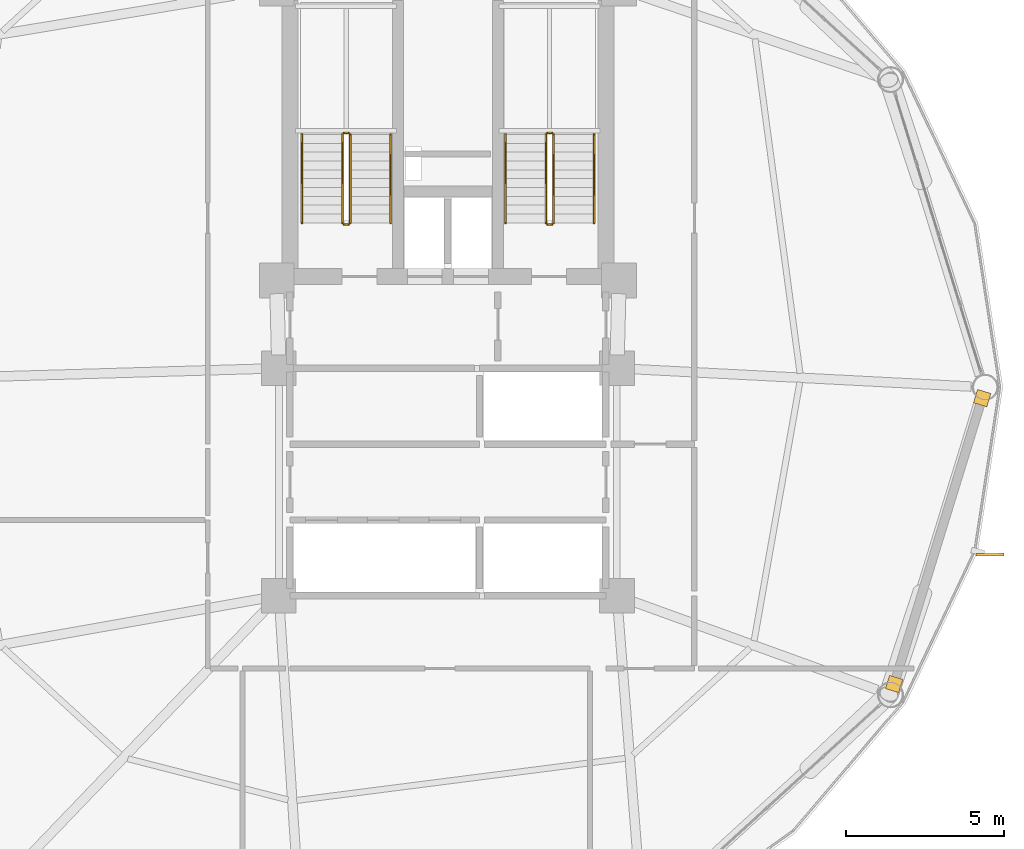
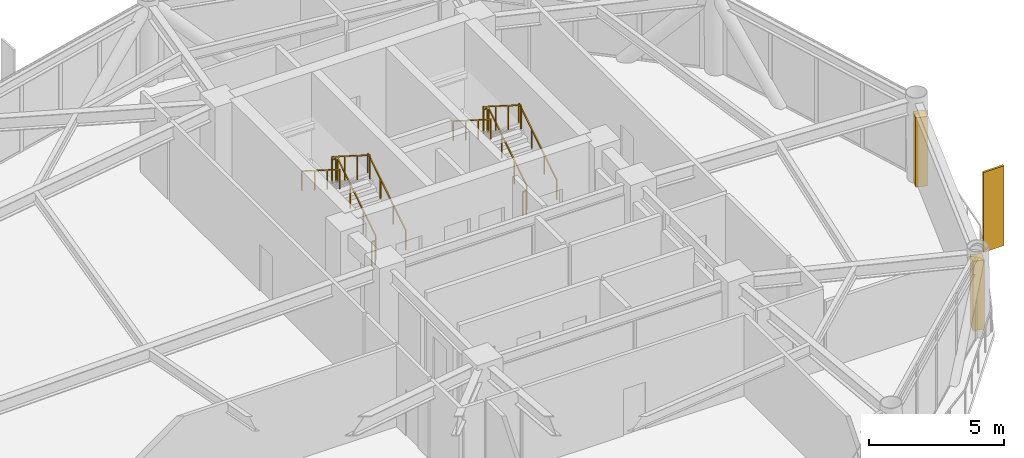
# One storey, part 22 of 23: 12 railings, 2 coverings, 1 shading device.
"""IFC4 building model written with IfcOpenShell, lengths in metres."""

from ifc_helpers import new_model, si_unit, direction, frame, origin, origin_2d, place, context, subcontext, project, spatial, rectangle, extrude, source, transform, mapped, material, layer, layer_set, type_object, type_shapes, element, save


model = new_model("IFC4")

# Units and contexts
model_context = context("Model", 3, precision=1e-05, world=origin(), true_north=direction((0.0, 1.0)))
body_context = subcontext(model_context, "Body", "Model", "MODEL_VIEW")
ifc_project = project(units=[si_unit("LENGTHUNIT", "METRE"), si_unit("AREAUNIT", "SQUARE_METRE"), si_unit("VOLUMEUNIT", "CUBIC_METRE"), si_unit("PLANEANGLEUNIT", "RADIAN"), si_unit("MASSUNIT", "GRAM", prefix="KILO")], contexts=[model_context])

# Site, building, storey
site_placement = place(None, origin())
site = spatial("IfcSite", under=ifc_project, at=site_placement, CompositionType="ELEMENT")
building_placement = place(site_placement, origin())
building = spatial("IfcBuilding", under=site, at=building_placement, Name="Varnakorn Sky Granary", CompositionType="ELEMENT")
storey_placement = place(building_placement, frame((0.0, 0.0, 107.10009765625)))
storey = spatial("IfcBuildingStorey", under=building, at=storey_placement, Name="L26", CompositionType="ELEMENT", Elevation=107.10009765625)

# Railings
ifc_material_1 = material(Name="Brushed Stainless Steel 316", Category="steel")
railing_type_1 = type_object("IfcRailingType", Name="RL-STAIR-1100", PredefinedType="GUARDRAIL", material=ifc_material_1)
railing_1_placement = place(storey_placement, frame((-0.090087890625, 5.199951171875, 0.17724609375)))
element("IfcRailing", 1, at=railing_1_placement, inside=storey, type_object=railing_type_1, Name="L26 ST-1 stair guard 1", PredefinedType="GUARDRAIL", context=body_context, shape_type="SweptSolid", body=[
    extrude(rectangle(XDim=0.048095703125, YDim=0.048095703125, at=origin_2d()), frame((0.0, 0.0, 1.076171875), z_axis=(0.0, 0.844908973607, 0.534910110503), x_axis=(-1.0, 0.0, 0.0)), (0.0, 0.0, 1.0), 3.31396484375),
    extrude(rectangle(XDim=0.0419921875, YDim=0.0419921875, at=origin_2d()), origin(), (0.0, 0.0, 1.0), 1.048095703125),
    extrude(rectangle(XDim=0.0419921875, YDim=0.0419921875, at=origin_2d()), frame((0.0, 0.933349609375, 0.5908203125)), (0.0, 0.0, 1.0), 1.048095703125),
    extrude(rectangle(XDim=0.0419921875, YDim=0.0419921875, at=origin_2d()), frame((0.0, 1.86669921875, 1.181884765625)), (0.0, 0.0, 1.0), 1.048095703125),
    extrude(rectangle(XDim=0.0419921875, YDim=0.0419921875, at=origin_2d()), frame((0.0, 2.800048828125, 1.772705078125)), (0.0, 0.0, 1.0), 1.048095703125),
])
railing_2_placement = place(storey_placement, frame((-0.139892578125, 8.050048828125, 1.949951171875)))
element("IfcRailing", 2, at=railing_2_placement, inside=storey, type_object=railing_type_1, Name="L26 ST-1 stair guard 2", PredefinedType="GUARDRAIL", context=body_context, shape_type="SweptSolid", body=[
    extrude(rectangle(XDim=0.048095703125, YDim=0.048095703125, at=origin_2d()), frame((0.0, 0.0, 1.076171875), z_axis=(-1.0, 0.0, 0.0), x_axis=(0.0, -1.0, 0.0)), (0.0, 0.0, 1.0), 0.150146484375),
    extrude(rectangle(XDim=0.0419921875, YDim=0.0419921875, at=origin_2d()), origin(), (0.0, 0.0, 1.0), 1.048095703125),
    extrude(rectangle(XDim=0.0419921875, YDim=0.0419921875, at=origin_2d()), frame((-0.150146484375, 0.0, 0.0)), (0.0, 0.0, 1.0), 1.048095703125),
])
railing_3_placement = place(storey_placement, frame((-0.340087890625, 8.0, 2.127197265625)))
element("IfcRailing", 3, at=railing_3_placement, inside=storey, type_object=railing_type_1, Name="L26 ST-1 stair guard 3", PredefinedType="GUARDRAIL", context=body_context, shape_type="SweptSolid", body=[
    extrude(rectangle(XDim=0.048095703125, YDim=0.048095703125, at=origin_2d()), frame((0.0, 0.0, 1.076171875), z_axis=(0.0, -0.844908973607, 0.534910110503), x_axis=(1.0, 0.0, 0.0)), (0.0, 0.0, 1.0), 3.31396484375),
    extrude(rectangle(XDim=0.0419921875, YDim=0.0419921875, at=origin_2d()), origin(), (0.0, 0.0, 1.0), 1.048095703125),
    extrude(rectangle(XDim=0.0419921875, YDim=0.0419921875, at=origin_2d()), frame((0.0, -0.933349609375, 0.5908203125)), (0.0, 0.0, 1.0), 1.048095703125),
    extrude(rectangle(XDim=0.0419921875, YDim=0.0419921875, at=origin_2d()), frame((0.0, -1.86669921875, 1.181884765625)), (0.0, 0.0, 1.0), 1.048095703125),
    extrude(rectangle(XDim=0.0419921875, YDim=0.0419921875, at=origin_2d()), frame((0.0, -2.800048828125, 1.772705078125)), (0.0, 0.0, 1.0), 1.048095703125),
])
railing_4_placement = place(storey_placement, frame((-0.139892578125, 5.14990234375, 0.0)))
element("IfcRailing", 4, at=railing_4_placement, inside=storey, type_object=railing_type_1, Name="L26 ST-1 stair guard 4", PredefinedType="GUARDRAIL", context=body_context, shape_type="SweptSolid", body=[
    extrude(rectangle(XDim=0.048095703125, YDim=0.048095703125, at=origin_2d()), frame((0.0, 0.0, 1.076171875), z_axis=(-1.0, 0.0, 0.0), x_axis=(0.0, -1.0, 0.0)), (0.0, 0.0, 1.0), 0.150146484375),
    extrude(rectangle(XDim=0.0419921875, YDim=0.0419921875, at=origin_2d()), origin(), (0.0, 0.0, 1.0), 1.048095703125),
    extrude(rectangle(XDim=0.0419921875, YDim=0.0419921875, at=origin_2d()), frame((-0.150146484375, 0.0, 0.0)), (0.0, 0.0, 1.0), 1.048095703125),
])
railing_5_placement = place(storey_placement, frame((6.35009765625, 5.199951171875, 0.17724609375)))
element("IfcRailing", 5, at=railing_5_placement, inside=storey, type_object=railing_type_1, Name="L26 ST-2 stair guard 1", PredefinedType="GUARDRAIL", context=body_context, shape_type="SweptSolid", body=[
    extrude(rectangle(XDim=0.048095703125, YDim=0.048095703125, at=origin_2d()), frame((0.0, 0.0, 1.076171875), z_axis=(0.0, 0.844908973607, 0.534910110503), x_axis=(-1.0, 0.0, 0.0)), (0.0, 0.0, 1.0), 3.31396484375),
    extrude(rectangle(XDim=0.0419921875, YDim=0.0419921875, at=origin_2d()), origin(), (0.0, 0.0, 1.0), 1.048095703125),
    extrude(rectangle(XDim=0.0419921875, YDim=0.0419921875, at=origin_2d()), frame((0.0, 0.933349609375, 0.5908203125)), (0.0, 0.0, 1.0), 1.048095703125),
    extrude(rectangle(XDim=0.0419921875, YDim=0.0419921875, at=origin_2d()), frame((0.0, 1.86669921875, 1.181884765625)), (0.0, 0.0, 1.0), 1.048095703125),
    extrude(rectangle(XDim=0.0419921875, YDim=0.0419921875, at=origin_2d()), frame((0.0, 2.800048828125, 1.772705078125)), (0.0, 0.0, 1.0), 1.048095703125),
])
railing_6_placement = place(storey_placement, frame((6.300048828125, 8.050048828125, 1.949951171875)))
element("IfcRailing", 6, at=railing_6_placement, inside=storey, type_object=railing_type_1, Name="L26 ST-2 stair guard 2", PredefinedType="GUARDRAIL", context=body_context, shape_type="SweptSolid", body=[
    extrude(rectangle(XDim=0.048095703125, YDim=0.048095703125, at=origin_2d()), frame((0.0, 0.0, 1.076171875), z_axis=(-1.0, 0.0, 0.0), x_axis=(0.0, -1.0, 0.0)), (0.0, 0.0, 1.0), 0.150146484375),
    extrude(rectangle(XDim=0.0419921875, YDim=0.0419921875, at=origin_2d()), origin(), (0.0, 0.0, 1.0), 1.048095703125),
    extrude(rectangle(XDim=0.0419921875, YDim=0.0419921875, at=origin_2d()), frame((-0.150146484375, 0.0, 0.0)), (0.0, 0.0, 1.0), 1.048095703125),
])
railing_7_placement = place(storey_placement, frame((6.10009765625, 8.0, 2.127197265625)))
element("IfcRailing", 7, at=railing_7_placement, inside=storey, type_object=railing_type_1, Name="L26 ST-2 stair guard 3", PredefinedType="GUARDRAIL", context=body_context, shape_type="SweptSolid", body=[
    extrude(rectangle(XDim=0.048095703125, YDim=0.048095703125, at=origin_2d()), frame((0.0, 0.0, 1.076171875), z_axis=(0.0, -0.844908973607, 0.534910110503), x_axis=(1.0, 0.0, 0.0)), (0.0, 0.0, 1.0), 3.31396484375),
    extrude(rectangle(XDim=0.0419921875, YDim=0.0419921875, at=origin_2d()), origin(), (0.0, 0.0, 1.0), 1.048095703125),
    extrude(rectangle(XDim=0.0419921875, YDim=0.0419921875, at=origin_2d()), frame((0.0, -0.933349609375, 0.5908203125)), (0.0, 0.0, 1.0), 1.048095703125),
    extrude(rectangle(XDim=0.0419921875, YDim=0.0419921875, at=origin_2d()), frame((0.0, -1.86669921875, 1.181884765625)), (0.0, 0.0, 1.0), 1.048095703125),
    extrude(rectangle(XDim=0.0419921875, YDim=0.0419921875, at=origin_2d()), frame((0.0, -2.800048828125, 1.772705078125)), (0.0, 0.0, 1.0), 1.048095703125),
])
railing_8_placement = place(storey_placement, frame((6.300048828125, 5.14990234375, 0.0)))
element("IfcRailing", 8, at=railing_8_placement, inside=storey, type_object=railing_type_1, Name="L26 ST-2 stair guard 4", PredefinedType="GUARDRAIL", context=body_context, shape_type="SweptSolid", body=[
    extrude(rectangle(XDim=0.048095703125, YDim=0.048095703125, at=origin_2d()), frame((0.0, 0.0, 1.076171875), z_axis=(-1.0, 0.0, 0.0), x_axis=(0.0, -1.0, 0.0)), (0.0, 0.0, 1.0), 0.150146484375),
    extrude(rectangle(XDim=0.0419921875, YDim=0.0419921875, at=origin_2d()), origin(), (0.0, 0.0, 1.0), 1.048095703125),
    extrude(rectangle(XDim=0.0419921875, YDim=0.0419921875, at=origin_2d()), frame((-0.150146484375, 0.0, 0.0)), (0.0, 0.0, 1.0), 1.048095703125),
])
railing_type_2 = type_object("IfcRailingType", Name="RL-STAIR-920", PredefinedType="HANDRAIL", material=ifc_material_1)
railing_9_placement = place(storey_placement, frame((1.18994140625, 5.199951171875, 0.17724609375)))
element("IfcRailing", 9, at=railing_9_placement, inside=storey, type_object=railing_type_2, Name="L26 ST-1 stair handrail 1", PredefinedType="HANDRAIL", context=body_context, shape_type="SweptSolid", body=[
    extrude(rectangle(XDim=0.048095703125, YDim=0.048095703125, at=origin_2d()), frame((0.0, 0.0, 0.8759765625), z_axis=(0.0, 0.844908973607, 0.534910110503), x_axis=(-1.0, 0.0, 0.0)), (0.0, 0.0, 1.0), 3.31396484375),
    extrude(rectangle(XDim=0.0419921875, YDim=0.0419921875, at=origin_2d()), origin(), (0.0, 0.0, 1.0), 0.847900390625),
    extrude(rectangle(XDim=0.0419921875, YDim=0.0419921875, at=origin_2d()), frame((0.0, 0.933349609375, 0.5908203125)), (0.0, 0.0, 1.0), 0.847900390625),
    extrude(rectangle(XDim=0.0419921875, YDim=0.0419921875, at=origin_2d()), frame((0.0, 1.86669921875, 1.181884765625)), (0.0, 0.0, 1.0), 0.847900390625),
    extrude(rectangle(XDim=0.0419921875, YDim=0.0419921875, at=origin_2d()), frame((0.0, 2.800048828125, 1.772705078125)), (0.0, 0.0, 1.0), 0.847900390625),
])
railing_10_placement = place(storey_placement, frame((-1.6201171875, 8.0, 2.127197265625)))
element("IfcRailing", 10, at=railing_10_placement, inside=storey, type_object=railing_type_2, Name="L26 ST-1 stair handrail 2", PredefinedType="HANDRAIL", context=body_context, shape_type="SweptSolid", body=[
    extrude(rectangle(XDim=0.048095703125, YDim=0.048095703125, at=origin_2d()), frame((0.0, 0.0, 0.8759765625), z_axis=(0.0, -0.844908973607, 0.534910110503), x_axis=(1.0, 0.0, 0.0)), (0.0, 0.0, 1.0), 3.31396484375),
    extrude(rectangle(XDim=0.0419921875, YDim=0.0419921875, at=origin_2d()), origin(), (0.0, 0.0, 1.0), 0.847900390625),
    extrude(rectangle(XDim=0.0419921875, YDim=0.0419921875, at=origin_2d()), frame((0.0, -0.933349609375, 0.5908203125)), (0.0, 0.0, 1.0), 0.847900390625),
    extrude(rectangle(XDim=0.0419921875, YDim=0.0419921875, at=origin_2d()), frame((0.0, -1.86669921875, 1.181884765625)), (0.0, 0.0, 1.0), 0.847900390625),
    extrude(rectangle(XDim=0.0419921875, YDim=0.0419921875, at=origin_2d()), frame((0.0, -2.800048828125, 1.772705078125)), (0.0, 0.0, 1.0), 0.847900390625),
])
railing_11_placement = place(storey_placement, frame((7.6298828125, 5.199951171875, 0.17724609375)))
element("IfcRailing", 11, at=railing_11_placement, inside=storey, type_object=railing_type_2, Name="L26 ST-2 stair handrail 1", PredefinedType="HANDRAIL", context=body_context, shape_type="SweptSolid", body=[
    extrude(rectangle(XDim=0.048095703125, YDim=0.048095703125, at=origin_2d()), frame((0.0, 0.0, 0.8759765625), z_axis=(0.0, 0.844908973607, 0.534910110503), x_axis=(-1.0, 0.0, 0.0)), (0.0, 0.0, 1.0), 3.31396484375),
    extrude(rectangle(XDim=0.0419921875, YDim=0.0419921875, at=origin_2d()), origin(), (0.0, 0.0, 1.0), 0.847900390625),
    extrude(rectangle(XDim=0.0419921875, YDim=0.0419921875, at=origin_2d()), frame((0.0, 0.933349609375, 0.5908203125)), (0.0, 0.0, 1.0), 0.847900390625),
    extrude(rectangle(XDim=0.0419921875, YDim=0.0419921875, at=origin_2d()), frame((0.0, 1.86669921875, 1.181884765625)), (0.0, 0.0, 1.0), 0.847900390625),
    extrude(rectangle(XDim=0.0419921875, YDim=0.0419921875, at=origin_2d()), frame((0.0, 2.800048828125, 1.772705078125)), (0.0, 0.0, 1.0), 0.847900390625),
])
railing_12_placement = place(storey_placement, frame((4.820068359375, 8.0, 2.127197265625)))
element("IfcRailing", 12, at=railing_12_placement, inside=storey, type_object=railing_type_2, Name="L26 ST-2 stair handrail 2", PredefinedType="HANDRAIL", context=body_context, shape_type="SweptSolid", body=[
    extrude(rectangle(XDim=0.048095703125, YDim=0.048095703125, at=origin_2d()), frame((0.0, 0.0, 0.8759765625), z_axis=(0.0, -0.844908973607, 0.534910110503), x_axis=(1.0, 0.0, 0.0)), (0.0, 0.0, 1.0), 3.31396484375),
    extrude(rectangle(XDim=0.0419921875, YDim=0.0419921875, at=origin_2d()), origin(), (0.0, 0.0, 1.0), 0.847900390625),
    extrude(rectangle(XDim=0.0419921875, YDim=0.0419921875, at=origin_2d()), frame((0.0, -0.933349609375, 0.5908203125)), (0.0, 0.0, 1.0), 0.847900390625),
    extrude(rectangle(XDim=0.0419921875, YDim=0.0419921875, at=origin_2d()), frame((0.0, -1.86669921875, 1.181884765625)), (0.0, 0.0, 1.0), 0.847900390625),
    extrude(rectangle(XDim=0.0419921875, YDim=0.0419921875, at=origin_2d()), frame((0.0, -2.800048828125, 1.772705078125)), (0.0, 0.0, 1.0), 0.847900390625),
])

# Shading device
ifc_material_2 = material(Name="Anodised Bronze Aluminium Alloy 6063-T6", Category="aluminium")
shading_device_type = type_object("IfcShadingDeviceType", Name="SH-FIN-01", PredefinedType="USERDEFINED", material=ifc_material_2)
shared_shape_1 = source(origin(), body_context, "Body", "SweptSolid", [
    extrude(rectangle(XDim=0.0849609375, YDim=0.8798828125, at=origin_2d()), origin(), (0.0, 0.0, 1.0), 3.60009765625),
])
type_shapes(shading_device_type, [shared_shape_1])
shading_device_placement = place(storey_placement, frame((20.160888671875, -5.29931640625, -0.0400390625), z_axis=(0.0, 0.0, 1.0), x_axis=(-0.007782761471, 0.999969713853, 0.0)))
element("IfcShadingDevice", 13, at=shading_device_placement, inside=storey, type_object=shading_device_type, Name="Bronze Solar-Tracking Vertical Blade FIN L26-12", ObjectType="FIN", PredefinedType="USERDEFINED", context=body_context, shape_type="MappedRepresentation", body=[
    mapped(shared_shape_1, transform((0.0, 0.0, 0.0), x_axis=(1.0, 0.0, 0.0), y_axis=(0.0, 1.0, 0.0), z_axis=(0.0, 0.0, 1.0), scale=1.0)),
])

# Coverings
ifc_layer = layer(ifc_material_2, 0.050048828125, Name="Anodised Bronze Aluminium Alloy 6063-T6")
ifc_layer_set = layer_set([ifc_layer], Name="Anodised Bronze Aluminium Alloy 6063-T6")
covering_type = type_object("IfcCoveringType", Name="CV-CLAD-50", PredefinedType="CLADDING", material=ifc_layer_set)
shared_shape_2 = source(origin(), body_context, "Body", "SweptSolid", [
    extrude(rectangle(XDim=0.43994140625, YDim=0.43994140625, at=origin_2d()), origin(), (0.0, 0.0, 1.0), 3.1298828125),
])
type_shapes(covering_type, [shared_shape_2])
for number, where, z_axis, x_axis, name in (
    (14, (19.91064453125, -0.345458984375, -0.02001953125), (0.0, 0.0, 1.0), (-0.294373942013, -0.955690317134, 0.0), "Bronze Corner Pilaster Closure L26-P12-A"),
    (15, (17.123779296875, -9.39306640625, -0.02001953125), (0.0, 0.0, 1.0), (-0.294373942013, -0.955690317134, 0.0), "Bronze Corner Pilaster Closure L26-P12-B"),
):
    element("IfcCovering", number, at=place(storey_placement, frame(where, z_axis=z_axis, x_axis=x_axis)), inside=storey, type_object=covering_type, Name=name, PredefinedType="CLADDING", context=body_context, shape_type="MappedRepresentation", body=[
        mapped(shared_shape_2, transform((0.0, 0.0, 0.0), x_axis=(1.0, 0.0, 0.0), y_axis=(0.0, 1.0, 0.0), z_axis=(0.0, 0.0, 1.0), scale=1.0)),
    ])

save(model, "model.ifc")
